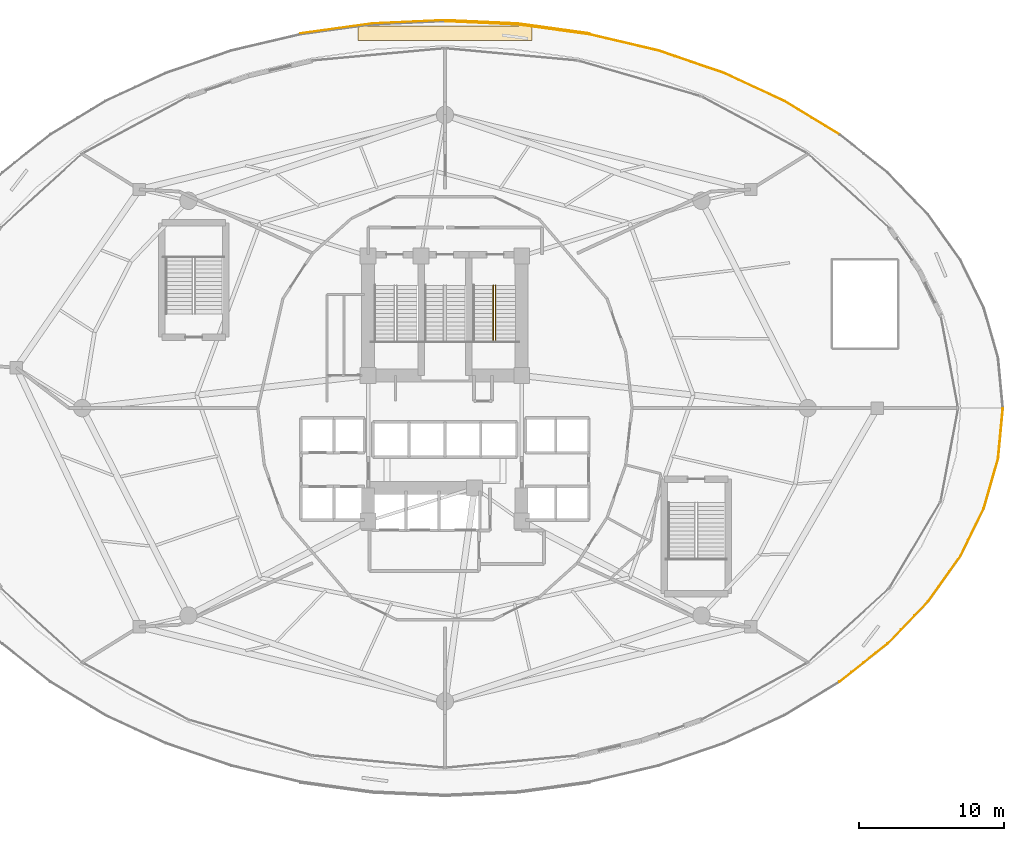
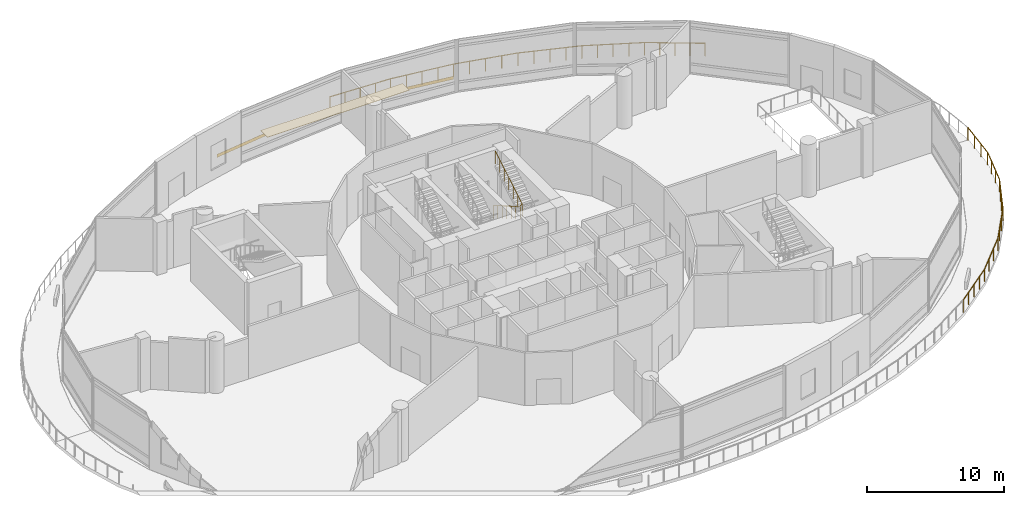
# One storey, part 35 of 36: 3 railings, 2 coverings.
"""IFC4 building model written with IfcOpenShell, lengths in metres."""

from ifc_helpers import new_model, si_unit, direction, frame, origin, place, context, subcontext, project, spatial, polyline, outline, extrude, material, layer, layer_set, type_object, element, save


model = new_model("IFC4")

# Units and contexts
model_context = context("Model", 3, precision=1e-05, world=origin(), true_north=direction((0.0, 1.0)))
body_context = subcontext(model_context, "Body", "Model", "MODEL_VIEW")
ifc_project = project(units=[si_unit("LENGTHUNIT", "METRE"), si_unit("AREAUNIT", "SQUARE_METRE"), si_unit("VOLUMEUNIT", "CUBIC_METRE"), si_unit("PLANEANGLEUNIT", "RADIAN"), si_unit("MASSUNIT", "GRAM", prefix="KILO")], contexts=[model_context])

# Site, building, storey
site_placement = place(None, origin())
site = spatial("IfcSite", under=ifc_project, at=site_placement, CompositionType="ELEMENT")
building_placement = place(site_placement, origin())
building = spatial("IfcBuilding", under=site, at=building_placement, Name="Nuhasar Tower", CompositionType="ELEMENT")
storey_placement = place(building_placement, frame((0.0, 0.0, 11.0)))
storey = spatial("IfcBuildingStorey", under=building, at=storey_placement, Name="L02", CompositionType="ELEMENT", Elevation=11.0)

# Coverings
ifc_material_1 = material(Name="Aluminium 6063-T6", Category="aluminium")
ifc_layer_1 = layer(ifc_material_1, 0.014892578125)
ifc_layer_set_1 = layer_set([ifc_layer_1], Name="Aluminium 6063-T6")
covering_type_1 = type_object("IfcCoveringType", Name="COV-CLD-BRZ15", PredefinedType="CLADDING", material=ifc_layer_set_1)
covering_1_placement = place(storey_placement, frame((0.0, 0.0, -0.280029296875)))
element("IfcCovering", 1, at=covering_1_placement, inside=storey, type_object=covering_type_1, Name="L02 Bustan Terrace Bronze Fascia Cladding North", PredefinedType="CLADDING", context=body_context, shape_type="SweptSolid", body=[
    extrude(outline(polyline([(48.989990234375, 52.68701171875), (44.0380859375, 53.37109375), (39.0, 53.60009765625), (33.9619140625, 53.37109375), (29.010009765625, 52.68701171875), (29.012939453125, 52.672119140625), (33.964111328125, 53.35595703125), (39.0, 53.5849609375), (44.035888671875, 53.35595703125), (48.987060546875, 52.672119140625), (48.989990234375, 52.68701171875)])), origin(), (0.0, 0.0, 1.0), 0.280029296875),
])
ifc_material_2 = material(Name="EPDM Membrane", Category="bitumen")
ifc_layer_2 = layer(ifc_material_2, 0.030029296875)
ifc_layer_set_2 = layer_set([ifc_layer_2], Name="EPDM Membrane")
covering_type_2 = type_object("IfcCoveringType", Name="COV-ROOF-MEM30", PredefinedType="ROOFING", material=ifc_layer_set_2)
covering_2_placement = place(storey_placement, frame((0.0, 0.0, 0.39990234375)))
element("IfcCovering", 2, at=covering_2_placement, inside=storey, type_object=covering_type_2, Name="L02 Waterproofing Roof Membrane Strip 02", PredefinedType="ROOFING", context=body_context, shape_type="SweptSolid", body=[
    extrude(outline(polyline([(33.0, 52.199951171875), (45.0, 52.199951171875), (45.0, 53.199951171875), (33.0, 53.199951171875), (33.0, 52.199951171875)])), origin(), (0.0, 0.0, 1.0), 0.030029296875),
])

# Railings
ifc_material_3 = material(Name="Steel S355", Category="steel")
railing_type_1 = type_object("IfcRailingType", Name="RLG-STAIR-GUARD-1150", PredefinedType="GUARDRAIL", material=ifc_material_3)
railing_1_placement = place(storey_placement, frame((42.330078125, 35.284912109375, 0.1669921875)))
element("IfcRailing", 3, at=railing_1_placement, inside=storey, type_object=railing_type_1, Name="L02 Stair ST-02 Guardrail SLT", PredefinedType="GUARDRAIL", context=body_context, shape_type="SweptSolid", body=[
    extrude(outline(polyline([(0.024169921875, 0.0), (0.01708984375, 0.01708984375), (0.0, 0.024169921875), (-0.01708984375, 0.01708984375), (-0.024169921875, 0.0), (-0.01708984375, -0.01708984375), (0.0, -0.024169921875), (0.01708984375, -0.01708984375), (0.024169921875, 0.0)])), frame((0.0, 0.0, 1.1259765625), z_axis=(0.0, -0.85931976652, 0.511438695121), x_axis=(1.0, 0.0, 0.0)), (0.0, 0.0, 1.0), 4.561767578125),
    extrude(outline(polyline([(0.024169921875, 0.0), (0.01708984375, 0.01708984375), (0.0, 0.024169921875), (-0.01708984375, 0.01708984375), (-0.024169921875, 0.0), (-0.01708984375, -0.01708984375), (0.0, -0.024169921875), (0.01708984375, -0.01708984375), (0.024169921875, 0.0)])), frame((0.0, -3.919921875, 3.458984375), z_axis=(0.691630103864, 0.0, 0.722251894722), x_axis=(0.0, 1.0, 0.0)), (0.0, 0.0, 1.0), 0.231201171875),
    extrude(outline(polyline([(0.024169921875, 0.0), (0.01708984375, 0.01708984375), (0.0, 0.024169921875), (-0.01708984375, 0.01708984375), (-0.024169921875, 0.0), (-0.01708984375, -0.01708984375), (0.0, -0.024169921875), (0.01708984375, -0.01708984375), (0.024169921875, 0.0)])), frame((0.159912109375, -3.919921875, 3.6259765625), z_axis=(0.0, 0.85931976652, 0.511438695121), x_axis=(-1.0, 0.0, 0.0)), (0.0, 0.0, 1.0), 4.561767578125),
    extrude(outline(polyline([(0.02099609375, 0.0), (0.014892578125, 0.014892578125), (0.0, 0.02099609375), (-0.014892578125, 0.014892578125), (-0.02099609375, 0.0), (-0.014892578125, -0.014892578125), (0.0, -0.02099609375), (0.014892578125, -0.014892578125), (0.02099609375, 0.0)])), origin(), (0.0, 0.0, 1.0), 1.101806640625),
    extrude(outline(polyline([(0.02099609375, 0.0), (0.014892578125, 0.014892578125), (0.0, 0.02099609375), (-0.014892578125, 0.014892578125), (-0.02099609375, 0.0), (-0.014892578125, -0.014892578125), (0.0, -0.02099609375), (0.014892578125, -0.014892578125), (0.02099609375, 0.0)])), frame((0.0, -0.6533203125, 0.388916015625)), (0.0, 0.0, 1.0), 1.101806640625),
    extrude(outline(polyline([(0.02099609375, 0.0), (0.014892578125, 0.014892578125), (0.0, 0.02099609375), (-0.014892578125, 0.014892578125), (-0.02099609375, 0.0), (-0.014892578125, -0.014892578125), (0.0, -0.02099609375), (0.014892578125, -0.014892578125), (0.02099609375, 0.0)])), frame((0.0, -1.306640625, 0.777587890625)), (0.0, 0.0, 1.0), 1.101806640625),
    extrude(outline(polyline([(0.02099609375, 0.0), (0.014892578125, 0.014892578125), (0.0, 0.02099609375), (-0.014892578125, 0.014892578125), (-0.02099609375, 0.0), (-0.014892578125, -0.014892578125), (0.0, -0.02099609375), (0.014892578125, -0.014892578125), (0.02099609375, 0.0)])), frame((0.0, -1.9599609375, 1.16650390625)), (0.0, 0.0, 1.0), 1.101806640625),
    extrude(outline(polyline([(0.02099609375, 0.0), (0.014892578125, 0.014892578125), (0.0, 0.02099609375), (-0.014892578125, 0.014892578125), (-0.02099609375, 0.0), (-0.014892578125, -0.014892578125), (0.0, -0.02099609375), (0.014892578125, -0.014892578125), (0.02099609375, 0.0)])), frame((0.0, -2.61328125, 1.555419921875)), (0.0, 0.0, 1.0), 1.101806640625),
    extrude(outline(polyline([(0.02099609375, 0.0), (0.014892578125, 0.014892578125), (0.0, 0.02099609375), (-0.014892578125, 0.014892578125), (-0.02099609375, 0.0), (-0.014892578125, -0.014892578125), (0.0, -0.02099609375), (0.014892578125, -0.014892578125), (0.02099609375, 0.0)])), frame((0.0, -3.2666015625, 1.944091796875)), (0.0, 0.0, 1.0), 1.101806640625),
    extrude(outline(polyline([(0.02099609375, 0.0), (0.014892578125, 0.014892578125), (0.0, 0.02099609375), (-0.014892578125, 0.014892578125), (-0.02099609375, 0.0), (-0.014892578125, -0.014892578125), (0.0, -0.02099609375), (0.014892578125, -0.014892578125), (0.02099609375, 0.0)])), frame((0.0, -3.919921875, 2.3330078125)), (0.0, 0.0, 1.0), 1.101806640625),
    extrude(outline(polyline([(0.02099609375, 0.0), (0.014892578125, 0.014892578125), (0.0, 0.02099609375), (-0.014892578125, 0.014892578125), (-0.02099609375, 0.0), (-0.014892578125, -0.014892578125), (0.0, -0.02099609375), (0.014892578125, -0.014892578125), (0.02099609375, 0.0)])), frame((0.159912109375, -3.919921875, 2.5)), (0.0, 0.0, 1.0), 1.101806640625),
    extrude(outline(polyline([(0.02099609375, 0.0), (0.014892578125, 0.014892578125), (0.0, 0.02099609375), (-0.014892578125, 0.014892578125), (-0.02099609375, 0.0), (-0.014892578125, -0.014892578125), (0.0, -0.02099609375), (0.014892578125, -0.014892578125), (0.02099609375, 0.0)])), frame((0.159912109375, -3.2666015625, 2.888916015625)), (0.0, 0.0, 1.0), 1.101806640625),
    extrude(outline(polyline([(0.02099609375, 0.0), (0.014892578125, 0.014892578125), (0.0, 0.02099609375), (-0.014892578125, 0.014892578125), (-0.02099609375, 0.0), (-0.014892578125, -0.014892578125), (0.0, -0.02099609375), (0.014892578125, -0.014892578125), (0.02099609375, 0.0)])), frame((0.159912109375, -2.61328125, 3.277587890625)), (0.0, 0.0, 1.0), 1.101806640625),
    extrude(outline(polyline([(0.02099609375, 0.0), (0.014892578125, 0.014892578125), (0.0, 0.02099609375), (-0.014892578125, 0.014892578125), (-0.02099609375, 0.0), (-0.014892578125, -0.014892578125), (0.0, -0.02099609375), (0.014892578125, -0.014892578125), (0.02099609375, 0.0)])), frame((0.159912109375, -1.9599609375, 3.66650390625)), (0.0, 0.0, 1.0), 1.101806640625),
    extrude(outline(polyline([(0.02099609375, 0.0), (0.014892578125, 0.014892578125), (0.0, 0.02099609375), (-0.014892578125, 0.014892578125), (-0.02099609375, 0.0), (-0.014892578125, -0.014892578125), (0.0, -0.02099609375), (0.014892578125, -0.014892578125), (0.02099609375, 0.0)])), frame((0.159912109375, -1.306640625, 4.055419921875)), (0.0, 0.0, 1.0), 1.101806640625),
    extrude(outline(polyline([(0.02099609375, 0.0), (0.014892578125, 0.014892578125), (0.0, 0.02099609375), (-0.014892578125, 0.014892578125), (-0.02099609375, 0.0), (-0.014892578125, -0.014892578125), (0.0, -0.02099609375), (0.014892578125, -0.014892578125), (0.02099609375, 0.0)])), frame((0.159912109375, -0.6533203125, 4.444091796875)), (0.0, 0.0, 1.0), 1.101806640625),
    extrude(outline(polyline([(0.02099609375, 0.0), (0.014892578125, 0.014892578125), (0.0, 0.02099609375), (-0.014892578125, 0.014892578125), (-0.02099609375, 0.0), (-0.014892578125, -0.014892578125), (0.0, -0.02099609375), (0.014892578125, -0.014892578125), (0.02099609375, 0.0)])), frame((0.159912109375, 0.0, 4.8330078125)), (0.0, 0.0, 1.0), 1.101806640625),
])
railing_type_2 = type_object("IfcRailingType", Name="RLG-TERR-1150", PredefinedType="BALUSTRADE", material=ifc_material_3)
railing_2_placement = place(storey_placement, frame((66.238037109375, 45.694091796875, 0.0)))
element("IfcRailing", 4, at=railing_2_placement, inside=storey, type_object=railing_type_2, Name="L02 Bustan Terrace Perimeter Balustrade 02", PredefinedType="BALUSTRADE", context=body_context, shape_type="SweptSolid", body=[
    extrude(outline(polyline([(0.024169921875, 0.0), (0.01708984375, 0.01708984375), (0.0, 0.024169921875), (-0.01708984375, 0.01708984375), (-0.024169921875, 0.0), (-0.01708984375, -0.01708984375), (0.0, -0.024169921875), (0.01708984375, -0.01708984375), (0.024169921875, 0.0)])), frame((0.0, 0.0, 1.1259765625), z_axis=(-0.854441915656, 0.519546930286, 0.0), x_axis=(-0.519546930286, -0.854441915656, 0.0)), (0.0, 0.0, 1.0), 4.4345703125),
    extrude(outline(polyline([(0.024169921875, 0.0), (0.01708984375, 0.01708984375), (0.0, 0.024169921875), (-0.01708984375, 0.01708984375), (-0.024169921875, 0.0), (-0.01708984375, -0.01708984375), (0.0, -0.024169921875), (0.01708984375, -0.01708984375), (0.024169921875, 0.0)])), frame((-3.7890625, 2.303955078125, 1.1259765625), z_axis=(-0.907255495287, 0.420579916629, 0.0), x_axis=(-0.420579916629, -0.907255495287, 0.0)), (0.0, 0.0, 1.0), 4.6171875),
    extrude(outline(polyline([(0.024169921875, 0.0), (0.01708984375, 0.01708984375), (0.0, 0.024169921875), (-0.01708984375, 0.01708984375), (-0.024169921875, 0.0), (-0.01708984375, -0.01708984375), (0.0, -0.024169921875), (0.01708984375, -0.01708984375), (0.024169921875, 0.0)])), frame((-7.97802734375, 4.245849609375, 1.1259765625), z_axis=(-0.946154097258, 0.323716580115, 0.0), x_axis=(-0.323716580115, -0.946154097258, 0.0)), (0.0, 0.0, 1.0), 4.776123046875),
    extrude(outline(polyline([(0.024169921875, 0.0), (0.01708984375, 0.01708984375), (0.0, 0.024169921875), (-0.01708984375, 0.01708984375), (-0.024169921875, 0.0), (-0.01708984375, -0.01708984375), (0.0, -0.024169921875), (0.01708984375, -0.01708984375), (0.024169921875, 0.0)])), frame((-12.4970703125, 5.7919921875, 1.1259765625), z_axis=(-0.973351806518, 0.229316943875, 0.0), x_axis=(-0.229316943875, -0.973351806518, 0.0)), (0.0, 0.0, 1.0), 4.901611328125),
    extrude(outline(polyline([(0.024169921875, 0.0), (0.01708984375, 0.01708984375), (0.0, 0.024169921875), (-0.01708984375, 0.01708984375), (-0.024169921875, 0.0), (-0.01708984375, -0.01708984375), (0.0, -0.024169921875), (0.01708984375, -0.01708984375), (0.024169921875, 0.0)])), frame((-17.26806640625, 6.916015625, 1.1259765625), z_axis=(-0.990640991668, 0.136493317151, 0.0), x_axis=(-0.136493317151, -0.990640991668, 0.0)), (0.0, 0.0, 1.0), 4.988525390625),
    extrude(outline(polyline([(0.024169921875, 0.0), (0.01708984375, 0.01708984375), (0.0, 0.024169921875), (-0.01708984375, 0.01708984375), (-0.024169921875, 0.0), (-0.01708984375, -0.01708984375), (0.0, -0.024169921875), (0.01708984375, -0.01708984375), (0.024169921875, 0.0)])), frame((-22.2099609375, 7.596923828125, 1.1259765625), z_axis=(-0.998965614545, 0.045471979909, 0.0), x_axis=(-0.045471979909, -0.998965614545, 0.0)), (0.0, 0.0, 1.0), 4.9931640625),
    extrude(outline(polyline([(0.02099609375, 0.0), (0.014892578125, 0.014892578125), (0.0, 0.02099609375), (-0.014892578125, 0.014892578125), (-0.02099609375, 0.0), (-0.014892578125, -0.014892578125), (0.0, -0.02099609375), (0.014892578125, -0.014892578125), (0.02099609375, 0.0)])), origin(), (0.0, 0.0, 1.0), 1.101806640625),
    extrude(outline(polyline([(0.02099609375, 0.0), (0.014892578125, 0.014892578125), (0.0, 0.02099609375), (-0.014892578125, 0.014892578125), (-0.02099609375, 0.0), (-0.014892578125, -0.014892578125), (0.0, -0.02099609375), (0.014892578125, -0.014892578125), (0.02099609375, 0.0)])), frame((-0.947265625, 0.575927734375, 0.0)), (0.0, 0.0, 1.0), 1.101806640625),
    extrude(outline(polyline([(0.02099609375, 0.0), (0.014892578125, 0.014892578125), (0.0, 0.02099609375), (-0.014892578125, 0.014892578125), (-0.02099609375, 0.0), (-0.014892578125, -0.014892578125), (0.0, -0.02099609375), (0.014892578125, -0.014892578125), (0.02099609375, 0.0)])), frame((-1.89453125, 1.15185546875, 0.0)), (0.0, 0.0, 1.0), 1.101806640625),
    extrude(outline(polyline([(0.02099609375, 0.0), (0.014892578125, 0.014892578125), (0.0, 0.02099609375), (-0.014892578125, 0.014892578125), (-0.02099609375, 0.0), (-0.014892578125, -0.014892578125), (0.0, -0.02099609375), (0.014892578125, -0.014892578125), (0.02099609375, 0.0)])), frame((-2.841796875, 1.72802734375, 0.0)), (0.0, 0.0, 1.0), 1.101806640625),
    extrude(outline(polyline([(0.02099609375, 0.0), (0.014892578125, 0.014892578125), (0.0, 0.02099609375), (-0.014892578125, 0.014892578125), (-0.02099609375, 0.0), (-0.014892578125, -0.014892578125), (0.0, -0.02099609375), (0.014892578125, -0.014892578125), (0.02099609375, 0.0)])), frame((-3.7890625, 2.303955078125, 0.0)), (0.0, 0.0, 1.0), 1.101806640625),
    extrude(outline(polyline([(0.02099609375, 0.0), (0.014892578125, 0.014892578125), (0.0, 0.02099609375), (-0.014892578125, 0.014892578125), (-0.02099609375, 0.0), (-0.014892578125, -0.014892578125), (0.0, -0.02099609375), (0.014892578125, -0.014892578125), (0.02099609375, 0.0)])), frame((-4.83642578125, 2.78955078125, 0.0)), (0.0, 0.0, 1.0), 1.101806640625),
    extrude(outline(polyline([(0.02099609375, 0.0), (0.014892578125, 0.014892578125), (0.0, 0.02099609375), (-0.014892578125, 0.014892578125), (-0.02099609375, 0.0), (-0.014892578125, -0.014892578125), (0.0, -0.02099609375), (0.014892578125, -0.014892578125), (0.02099609375, 0.0)])), frame((-5.883544921875, 3.27490234375, 0.0)), (0.0, 0.0, 1.0), 1.101806640625),
    extrude(outline(polyline([(0.02099609375, 0.0), (0.014892578125, 0.014892578125), (0.0, 0.02099609375), (-0.014892578125, 0.014892578125), (-0.02099609375, 0.0), (-0.014892578125, -0.014892578125), (0.0, -0.02099609375), (0.014892578125, -0.014892578125), (0.02099609375, 0.0)])), frame((-6.9306640625, 3.76025390625, 0.0)), (0.0, 0.0, 1.0), 1.101806640625),
    extrude(outline(polyline([(0.02099609375, 0.0), (0.014892578125, 0.014892578125), (0.0, 0.02099609375), (-0.014892578125, 0.014892578125), (-0.02099609375, 0.0), (-0.014892578125, -0.014892578125), (0.0, -0.02099609375), (0.014892578125, -0.014892578125), (0.02099609375, 0.0)])), frame((-7.97802734375, 4.245849609375, 0.0)), (0.0, 0.0, 1.0), 1.101806640625),
    extrude(outline(polyline([(0.02099609375, 0.0), (0.014892578125, 0.014892578125), (0.0, 0.02099609375), (-0.014892578125, 0.014892578125), (-0.02099609375, 0.0), (-0.014892578125, -0.014892578125), (0.0, -0.02099609375), (0.014892578125, -0.014892578125), (0.02099609375, 0.0)])), frame((-9.10791015625, 4.63232421875, 0.0)), (0.0, 0.0, 1.0), 1.101806640625),
    extrude(outline(polyline([(0.02099609375, 0.0), (0.014892578125, 0.014892578125), (0.0, 0.02099609375), (-0.014892578125, 0.014892578125), (-0.02099609375, 0.0), (-0.014892578125, -0.014892578125), (0.0, -0.02099609375), (0.014892578125, -0.014892578125), (0.02099609375, 0.0)])), frame((-10.237548828125, 5.01904296875, 0.0)), (0.0, 0.0, 1.0), 1.101806640625),
    extrude(outline(polyline([(0.02099609375, 0.0), (0.014892578125, 0.014892578125), (0.0, 0.02099609375), (-0.014892578125, 0.014892578125), (-0.02099609375, 0.0), (-0.014892578125, -0.014892578125), (0.0, -0.02099609375), (0.014892578125, -0.014892578125), (0.02099609375, 0.0)])), frame((-11.3671875, 5.405517578125, 0.0)), (0.0, 0.0, 1.0), 1.101806640625),
    extrude(outline(polyline([(0.02099609375, 0.0), (0.014892578125, 0.014892578125), (0.0, 0.02099609375), (-0.014892578125, 0.014892578125), (-0.02099609375, 0.0), (-0.014892578125, -0.014892578125), (0.0, -0.02099609375), (0.014892578125, -0.014892578125), (0.02099609375, 0.0)])), frame((-12.4970703125, 5.7919921875, 0.0)), (0.0, 0.0, 1.0), 1.101806640625),
    extrude(outline(polyline([(0.02099609375, 0.0), (0.014892578125, 0.014892578125), (0.0, 0.02099609375), (-0.014892578125, 0.014892578125), (-0.02099609375, 0.0), (-0.014892578125, -0.014892578125), (0.0, -0.02099609375), (0.014892578125, -0.014892578125), (0.02099609375, 0.0)])), frame((-13.68994140625, 6.072998046875, 0.0)), (0.0, 0.0, 1.0), 1.101806640625),
    extrude(outline(polyline([(0.02099609375, 0.0), (0.014892578125, 0.014892578125), (0.0, 0.02099609375), (-0.014892578125, 0.014892578125), (-0.02099609375, 0.0), (-0.014892578125, -0.014892578125), (0.0, -0.02099609375), (0.014892578125, -0.014892578125), (0.02099609375, 0.0)])), frame((-14.882568359375, 6.35400390625, 0.0)), (0.0, 0.0, 1.0), 1.101806640625),
    extrude(outline(polyline([(0.02099609375, 0.0), (0.014892578125, 0.014892578125), (0.0, 0.02099609375), (-0.014892578125, 0.014892578125), (-0.02099609375, 0.0), (-0.014892578125, -0.014892578125), (0.0, -0.02099609375), (0.014892578125, -0.014892578125), (0.02099609375, 0.0)])), frame((-16.0751953125, 6.635009765625, 0.0)), (0.0, 0.0, 1.0), 1.101806640625),
    extrude(outline(polyline([(0.02099609375, 0.0), (0.014892578125, 0.014892578125), (0.0, 0.02099609375), (-0.014892578125, 0.014892578125), (-0.02099609375, 0.0), (-0.014892578125, -0.014892578125), (0.0, -0.02099609375), (0.014892578125, -0.014892578125), (0.02099609375, 0.0)])), frame((-17.26806640625, 6.916015625, 0.0)), (0.0, 0.0, 1.0), 1.101806640625),
    extrude(outline(polyline([(0.02099609375, 0.0), (0.014892578125, 0.014892578125), (0.0, 0.02099609375), (-0.014892578125, 0.014892578125), (-0.02099609375, 0.0), (-0.014892578125, -0.014892578125), (0.0, -0.02099609375), (0.014892578125, -0.014892578125), (0.02099609375, 0.0)])), frame((-18.50341796875, 7.086181640625, 0.0)), (0.0, 0.0, 1.0), 1.101806640625),
    extrude(outline(polyline([(0.02099609375, 0.0), (0.014892578125, 0.014892578125), (0.0, 0.02099609375), (-0.014892578125, 0.014892578125), (-0.02099609375, 0.0), (-0.014892578125, -0.014892578125), (0.0, -0.02099609375), (0.014892578125, -0.014892578125), (0.02099609375, 0.0)])), frame((-19.739013671875, 7.25634765625, 0.0)), (0.0, 0.0, 1.0), 1.101806640625),
    extrude(outline(polyline([(0.02099609375, 0.0), (0.014892578125, 0.014892578125), (0.0, 0.02099609375), (-0.014892578125, 0.014892578125), (-0.02099609375, 0.0), (-0.014892578125, -0.014892578125), (0.0, -0.02099609375), (0.014892578125, -0.014892578125), (0.02099609375, 0.0)])), frame((-20.974609375, 7.4267578125, 0.0)), (0.0, 0.0, 1.0), 1.101806640625),
    extrude(outline(polyline([(0.02099609375, 0.0), (0.014892578125, 0.014892578125), (0.0, 0.02099609375), (-0.014892578125, 0.014892578125), (-0.02099609375, 0.0), (-0.014892578125, -0.014892578125), (0.0, -0.02099609375), (0.014892578125, -0.014892578125), (0.02099609375, 0.0)])), frame((-22.2099609375, 7.596923828125, 0.0)), (0.0, 0.0, 1.0), 1.101806640625),
    extrude(outline(polyline([(0.02099609375, 0.0), (0.014892578125, 0.014892578125), (0.0, 0.02099609375), (-0.014892578125, 0.014892578125), (-0.02099609375, 0.0), (-0.014892578125, -0.014892578125), (0.0, -0.02099609375), (0.014892578125, -0.014892578125), (0.02099609375, 0.0)])), frame((-23.45703125, 7.65380859375, 0.0)), (0.0, 0.0, 1.0), 1.101806640625),
    extrude(outline(polyline([(0.02099609375, 0.0), (0.014892578125, 0.014892578125), (0.0, 0.02099609375), (-0.014892578125, 0.014892578125), (-0.02099609375, 0.0), (-0.014892578125, -0.014892578125), (0.0, -0.02099609375), (0.014892578125, -0.014892578125), (0.02099609375, 0.0)])), frame((-24.7041015625, 7.71044921875, 0.0)), (0.0, 0.0, 1.0), 1.101806640625),
    extrude(outline(polyline([(0.02099609375, 0.0), (0.014892578125, 0.014892578125), (0.0, 0.02099609375), (-0.014892578125, 0.014892578125), (-0.02099609375, 0.0), (-0.014892578125, -0.014892578125), (0.0, -0.02099609375), (0.014892578125, -0.014892578125), (0.02099609375, 0.0)])), frame((-25.950927734375, 7.76708984375, 0.0)), (0.0, 0.0, 1.0), 1.101806640625),
    extrude(outline(polyline([(0.02099609375, 0.0), (0.014892578125, 0.014892578125), (0.0, 0.02099609375), (-0.014892578125, 0.014892578125), (-0.02099609375, 0.0), (-0.014892578125, -0.014892578125), (0.0, -0.02099609375), (0.014892578125, -0.014892578125), (0.02099609375, 0.0)])), frame((-27.197998046875, 7.823974609375, 0.0)), (0.0, 0.0, 1.0), 1.101806640625),
])
railing_3_placement = place(storey_placement, frame((66.238037109375, 7.906005859375, 0.0)))
element("IfcRailing", 5, at=railing_3_placement, inside=storey, type_object=railing_type_2, Name="L02 Bustan Terrace Perimeter Balustrade 08", PredefinedType="BALUSTRADE", context=body_context, shape_type="SweptSolid", body=[
    extrude(outline(polyline([(0.024169921875, 0.0), (0.01708984375, 0.01708984375), (0.0, 0.024169921875), (-0.01708984375, 0.01708984375), (-0.024169921875, 0.0), (-0.01708984375, -0.01708984375), (0.0, -0.024169921875), (0.01708984375, -0.01708984375), (0.024169921875, 0.0)])), frame((0.0, 0.0, 1.1259765625), z_axis=(0.784276013706, 0.620412068166, 0.0), x_axis=(-0.620412068166, 0.784276013706, 0.0)), (0.0, 0.0, 1.0), 4.23583984375),
    extrude(outline(polyline([(0.024169921875, 0.0), (0.01708984375, 0.01708984375), (0.0, 0.024169921875), (-0.01708984375, 0.01708984375), (-0.024169921875, 0.0), (-0.01708984375, -0.01708984375), (0.0, -0.024169921875), (0.01708984375, -0.01708984375), (0.024169921875, 0.0)])), frame((3.322021484375, 2.6279296875, 1.1259765625), z_axis=(0.693699827193, 0.72026422218, 0.0), x_axis=(-0.72026422218, 0.693699827193, 0.0)), (0.0, 0.0, 1.0), 4.03466796875),
    extrude(outline(polyline([(0.024169921875, 0.0), (0.01708984375, 0.01708984375), (0.0, 0.024169921875), (-0.01708984375, 0.01708984375), (-0.024169921875, 0.0), (-0.01708984375, -0.01708984375), (0.0, -0.024169921875), (0.01708984375, -0.01708984375), (0.024169921875, 0.0)])), frame((6.120849609375, 5.533935546875, 1.1259765625), z_axis=(0.579465707946, 0.814996621658, 0.0), x_axis=(-0.814996621658, 0.579465707946, 0.0)), (0.0, 0.0, 1.0), 3.8466796875),
    extrude(outline(polyline([(0.024169921875, 0.0), (0.01708984375, 0.01708984375), (0.0, 0.024169921875), (-0.01708984375, 0.01708984375), (-0.024169921875, 0.0), (-0.01708984375, -0.01708984375), (0.0, -0.024169921875), (0.01708984375, -0.01708984375), (0.024169921875, 0.0)])), frame((8.349853515625, 8.6689453125, 1.1259765625), z_axis=(0.4395096348, 0.898237875464, 0.0), x_axis=(-0.898237875464, 0.4395096348, 0.0)), (0.0, 0.0, 1.0), 3.68408203125),
    extrude(outline(polyline([(0.024169921875, 0.0), (0.01708984375, 0.01708984375), (0.0, 0.024169921875), (-0.01708984375, 0.01708984375), (-0.024169921875, 0.0), (-0.01708984375, -0.01708984375), (0.0, -0.024169921875), (0.01708984375, -0.01708984375), (0.024169921875, 0.0)])), frame((9.968994140625, 11.97802734375, 1.1259765625), z_axis=(0.275625212335, 0.961265177943, 0.0), x_axis=(-0.961265177943, 0.275625212335, 0.0)), (0.0, 0.0, 1.0), 3.566162109375),
    extrude(outline(polyline([(0.024169921875, 0.0), (0.01708984375, 0.01708984375), (0.0, 0.024169921875), (-0.01708984375, 0.01708984375), (-0.024169921875, 0.0), (-0.01708984375, -0.01708984375), (0.0, -0.024169921875), (0.01708984375, -0.01708984375), (0.024169921875, 0.0)])), frame((10.951904296875, 15.406005859375, 1.1259765625), z_axis=(0.094177023589, 0.995555467178, 0.0), x_axis=(-0.995555467178, 0.094177023589, 0.0)), (0.0, 0.0, 1.0), 3.46337890625),
    extrude(outline(polyline([(0.02099609375, 0.0), (0.014892578125, 0.014892578125), (0.0, 0.02099609375), (-0.014892578125, 0.014892578125), (-0.02099609375, 0.0), (-0.014892578125, -0.014892578125), (0.0, -0.02099609375), (0.014892578125, -0.014892578125), (0.02099609375, 0.0)])), origin(), (0.0, 0.0, 1.0), 1.101806640625),
    extrude(outline(polyline([(0.02099609375, 0.0), (0.014892578125, 0.014892578125), (0.0, 0.02099609375), (-0.014892578125, 0.014892578125), (-0.02099609375, 0.0), (-0.014892578125, -0.014892578125), (0.0, -0.02099609375), (0.014892578125, -0.014892578125), (0.02099609375, 0.0)])), frame((0.83056640625, 0.656982421875, 0.0)), (0.0, 0.0, 1.0), 1.101806640625),
    extrude(outline(polyline([(0.02099609375, 0.0), (0.014892578125, 0.014892578125), (0.0, 0.02099609375), (-0.014892578125, 0.014892578125), (-0.02099609375, 0.0), (-0.014892578125, -0.014892578125), (0.0, -0.02099609375), (0.014892578125, -0.014892578125), (0.02099609375, 0.0)])), frame((1.6611328125, 1.31396484375, 0.0)), (0.0, 0.0, 1.0), 1.101806640625),
    extrude(outline(polyline([(0.02099609375, 0.0), (0.014892578125, 0.014892578125), (0.0, 0.02099609375), (-0.014892578125, 0.014892578125), (-0.02099609375, 0.0), (-0.014892578125, -0.014892578125), (0.0, -0.02099609375), (0.014892578125, -0.014892578125), (0.02099609375, 0.0)])), frame((2.491455078125, 1.970947265625, 0.0)), (0.0, 0.0, 1.0), 1.101806640625),
    extrude(outline(polyline([(0.02099609375, 0.0), (0.014892578125, 0.014892578125), (0.0, 0.02099609375), (-0.014892578125, 0.014892578125), (-0.02099609375, 0.0), (-0.014892578125, -0.014892578125), (0.0, -0.02099609375), (0.014892578125, -0.014892578125), (0.02099609375, 0.0)])), frame((3.322021484375, 2.6279296875, 0.0)), (0.0, 0.0, 1.0), 1.101806640625),
    extrude(outline(polyline([(0.02099609375, 0.0), (0.014892578125, 0.014892578125), (0.0, 0.02099609375), (-0.014892578125, 0.014892578125), (-0.02099609375, 0.0), (-0.014892578125, -0.014892578125), (0.0, -0.02099609375), (0.014892578125, -0.014892578125), (0.02099609375, 0.0)])), frame((4.2548828125, 3.5966796875, 0.0)), (0.0, 0.0, 1.0), 1.101806640625),
    extrude(outline(polyline([(0.02099609375, 0.0), (0.014892578125, 0.014892578125), (0.0, 0.02099609375), (-0.014892578125, 0.014892578125), (-0.02099609375, 0.0), (-0.014892578125, -0.014892578125), (0.0, -0.02099609375), (0.014892578125, -0.014892578125), (0.02099609375, 0.0)])), frame((5.18798828125, 4.565185546875, 0.0)), (0.0, 0.0, 1.0), 1.101806640625),
    extrude(outline(polyline([(0.02099609375, 0.0), (0.014892578125, 0.014892578125), (0.0, 0.02099609375), (-0.014892578125, 0.014892578125), (-0.02099609375, 0.0), (-0.014892578125, -0.014892578125), (0.0, -0.02099609375), (0.014892578125, -0.014892578125), (0.02099609375, 0.0)])), frame((6.120849609375, 5.533935546875, 0.0)), (0.0, 0.0, 1.0), 1.101806640625),
    extrude(outline(polyline([(0.02099609375, 0.0), (0.014892578125, 0.014892578125), (0.0, 0.02099609375), (-0.014892578125, 0.014892578125), (-0.02099609375, 0.0), (-0.014892578125, -0.014892578125), (0.0, -0.02099609375), (0.014892578125, -0.014892578125), (0.02099609375, 0.0)])), frame((6.86376953125, 6.578857421875, 0.0)), (0.0, 0.0, 1.0), 1.101806640625),
    extrude(outline(polyline([(0.02099609375, 0.0), (0.014892578125, 0.014892578125), (0.0, 0.02099609375), (-0.014892578125, 0.014892578125), (-0.02099609375, 0.0), (-0.014892578125, -0.014892578125), (0.0, -0.02099609375), (0.014892578125, -0.014892578125), (0.02099609375, 0.0)])), frame((7.60693359375, 7.6240234375, 0.0)), (0.0, 0.0, 1.0), 1.101806640625),
    extrude(outline(polyline([(0.02099609375, 0.0), (0.014892578125, 0.014892578125), (0.0, 0.02099609375), (-0.014892578125, 0.014892578125), (-0.02099609375, 0.0), (-0.014892578125, -0.014892578125), (0.0, -0.02099609375), (0.014892578125, -0.014892578125), (0.02099609375, 0.0)])), frame((8.349853515625, 8.6689453125, 0.0)), (0.0, 0.0, 1.0), 1.101806640625),
    extrude(outline(polyline([(0.02099609375, 0.0), (0.014892578125, 0.014892578125), (0.0, 0.02099609375), (-0.014892578125, 0.014892578125), (-0.02099609375, 0.0), (-0.014892578125, -0.014892578125), (0.0, -0.02099609375), (0.014892578125, -0.014892578125), (0.02099609375, 0.0)])), frame((8.8896484375, 9.77197265625, 0.0)), (0.0, 0.0, 1.0), 1.101806640625),
    extrude(outline(polyline([(0.02099609375, 0.0), (0.014892578125, 0.014892578125), (0.0, 0.02099609375), (-0.014892578125, 0.014892578125), (-0.02099609375, 0.0), (-0.014892578125, -0.014892578125), (0.0, -0.02099609375), (0.014892578125, -0.014892578125), (0.02099609375, 0.0)])), frame((9.42919921875, 10.875, 0.0)), (0.0, 0.0, 1.0), 1.101806640625),
    extrude(outline(polyline([(0.02099609375, 0.0), (0.014892578125, 0.014892578125), (0.0, 0.02099609375), (-0.014892578125, 0.014892578125), (-0.02099609375, 0.0), (-0.014892578125, -0.014892578125), (0.0, -0.02099609375), (0.014892578125, -0.014892578125), (0.02099609375, 0.0)])), frame((9.968994140625, 11.97802734375, 0.0)), (0.0, 0.0, 1.0), 1.101806640625),
    extrude(outline(polyline([(0.02099609375, 0.0), (0.014892578125, 0.014892578125), (0.0, 0.02099609375), (-0.014892578125, 0.014892578125), (-0.02099609375, 0.0), (-0.014892578125, -0.014892578125), (0.0, -0.02099609375), (0.014892578125, -0.014892578125), (0.02099609375, 0.0)])), frame((10.296630859375, 13.12060546875, 0.0)), (0.0, 0.0, 1.0), 1.101806640625),
    extrude(outline(polyline([(0.02099609375, 0.0), (0.014892578125, 0.014892578125), (0.0, 0.02099609375), (-0.014892578125, 0.014892578125), (-0.02099609375, 0.0), (-0.014892578125, -0.014892578125), (0.0, -0.02099609375), (0.014892578125, -0.014892578125), (0.02099609375, 0.0)])), frame((10.624267578125, 14.263427734375, 0.0)), (0.0, 0.0, 1.0), 1.101806640625),
    extrude(outline(polyline([(0.02099609375, 0.0), (0.014892578125, 0.014892578125), (0.0, 0.02099609375), (-0.014892578125, 0.014892578125), (-0.02099609375, 0.0), (-0.014892578125, -0.014892578125), (0.0, -0.02099609375), (0.014892578125, -0.014892578125), (0.02099609375, 0.0)])), frame((10.951904296875, 15.406005859375, 0.0)), (0.0, 0.0, 1.0), 1.101806640625),
    extrude(outline(polyline([(0.02099609375, 0.0), (0.014892578125, 0.014892578125), (0.0, 0.02099609375), (-0.014892578125, 0.014892578125), (-0.02099609375, 0.0), (-0.014892578125, -0.014892578125), (0.0, -0.02099609375), (0.014892578125, -0.014892578125), (0.02099609375, 0.0)])), frame((11.060546875, 16.555419921875, 0.0)), (0.0, 0.0, 1.0), 1.101806640625),
    extrude(outline(polyline([(0.02099609375, 0.0), (0.014892578125, 0.014892578125), (0.0, 0.02099609375), (-0.014892578125, 0.014892578125), (-0.02099609375, 0.0), (-0.014892578125, -0.014892578125), (0.0, -0.02099609375), (0.014892578125, -0.014892578125), (0.02099609375, 0.0)])), frame((11.16943359375, 17.70458984375, 0.0)), (0.0, 0.0, 1.0), 1.101806640625),
    extrude(outline(polyline([(0.02099609375, 0.0), (0.014892578125, 0.014892578125), (0.0, 0.02099609375), (-0.014892578125, 0.014892578125), (-0.02099609375, 0.0), (-0.014892578125, -0.014892578125), (0.0, -0.02099609375), (0.014892578125, -0.014892578125), (0.02099609375, 0.0)])), frame((11.278076171875, 18.85400390625, 0.0)), (0.0, 0.0, 1.0), 1.101806640625),
])

save(model, "model.ifc")
